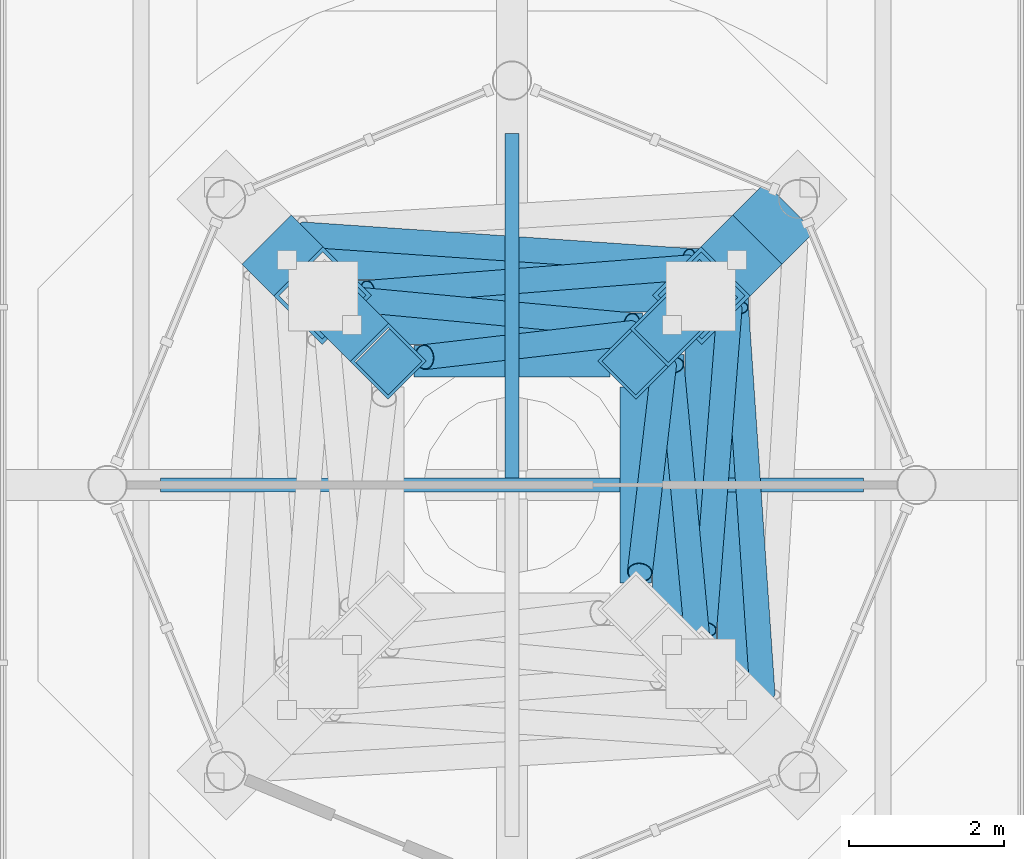
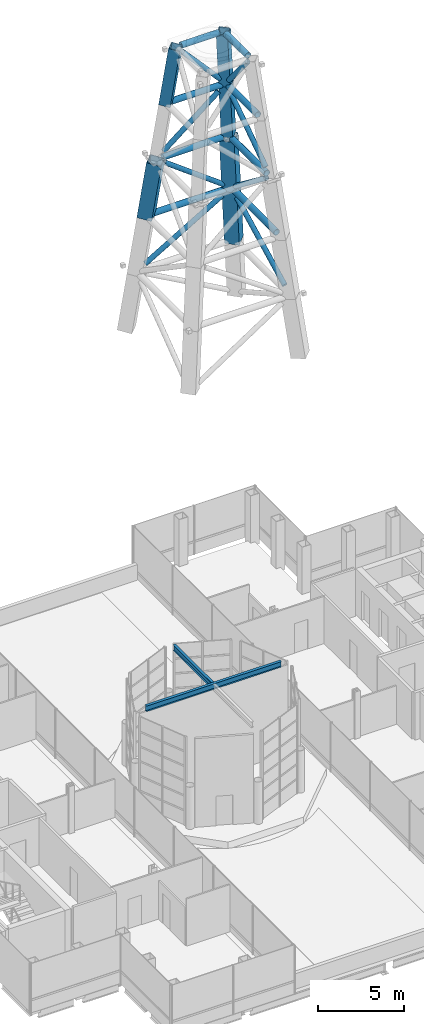
# One storey, part 13 of 32: 22 members, 2 beams.
"""IFC4 building model written with IfcOpenShell, lengths in metres."""

from ifc_helpers import new_model, si_unit, direction, frame, origin, origin_2d, place, context, subcontext, project, spatial, hollow_rectangle, hollow_circle, i_section, extrude, material, material_profile, profile_set, type_object, element, save


model = new_model("IFC4")

# Units and contexts
model_context = context("Model", 3, precision=1e-05, world=origin(), true_north=direction((0.0, 1.0)))
body_context = subcontext(model_context, "Body", "Model", "MODEL_VIEW")
ifc_project = project(units=[si_unit("LENGTHUNIT", "METRE"), si_unit("AREAUNIT", "SQUARE_METRE"), si_unit("VOLUMEUNIT", "CUBIC_METRE"), si_unit("PLANEANGLEUNIT", "RADIAN"), si_unit("MASSUNIT", "GRAM", prefix="KILO")], contexts=[model_context])

# Site, building, storey
site_placement = place(None, origin())
site = spatial("IfcSite", under=ifc_project, at=site_placement, CompositionType="ELEMENT")
building_placement = place(site_placement, origin())
building = spatial("IfcBuilding", under=site, at=building_placement, Name="Cobrizo Arcos Hotel Tower", CompositionType="ELEMENT")
storey_placement = place(building_placement, frame((0.0, 0.0, 265.5)))
storey = spatial("IfcBuildingStorey", under=building, at=storey_placement, Name="L70", CompositionType="ELEMENT", Elevation=265.5)

# Members
ifc_material_1 = material(Name="Steel ASTM A500 Grade C", Category="steel")
ifc_material_profile_1 = material_profile(ifc_material_1, hollow_circle(Radius=0.161865234375, WallThickness=0.01171875, at=origin_2d()), Name="HSS12.750X0.500")
ifc_profile_set_1 = profile_set([ifc_material_profile_1], Name="Steel ASTM A500 Grade C")
member_type_1 = type_object("IfcMemberType", Name="MAST diagonal HSS12.750X0.500", PredefinedType="BRACE", material=ifc_profile_set_1)
for number, where, z_axis, x_axis, name in (
    (1, (3.240966796875, -2.70947265625, 35.98095703125), (-0.056811542456, 0.830275754307, 0.554449835831), (-0.997667204321, -0.068265287094, 0.0), "MAST diagonal stage 2 face 2"),
    (2, (-2.70947265625, 3.240966796875, 35.98095703125), (0.830275754307, -0.056811542456, 0.554449835831), (0.068265287094, 0.997667204321, 0.0), "MAST diagonal stage 2 face 3"),
):
    element("IfcMember", number, at=place(storey_placement, frame(where, z_axis=z_axis, x_axis=x_axis)), inside=storey, type_object=member_type_1, Name=name, PredefinedType="BRACE", context=body_context, shape_type="SweptSolid", body=[
        extrude(hollow_circle(Radius=0.161865234375, WallThickness=0.01171875, at=origin_2d()), origin(), (0.0, 0.0, 1.0), 6.0205078125),
    ])
for number, where, z_axis, x_axis, name in (
    (3, (2.814697265625, 2.289794921875, 40.14111328125), (-0.062549063736, -0.789415516993, 0.610664192626), (0.996875638652, -0.078987094271, 0.0), "MAST diagonal stage 3 face 2"),
    (4, (2.289794921875, 2.814697265625, 40.14111328125), (-0.789415516993, -0.062549063736, 0.610664192626), (0.078987094271, -0.996875638652, 0.0), "MAST diagonal stage 3 face 3"),
):
    element("IfcMember", number, at=place(storey_placement, frame(where, z_axis=z_axis, x_axis=x_axis)), inside=storey, type_object=member_type_1, Name=name, PredefinedType="BRACE", context=body_context, shape_type="SweptSolid", body=[
        extrude(hollow_circle(Radius=0.161865234375, WallThickness=0.01171875, at=origin_2d()), origin(), (0.0, 0.0, 1.0), 5.269287109375),
    ])
for number, where, z_axis, x_axis, name in (
    (5, (2.395751953125, -1.97021484375, 44.23193359375), (-0.069167380684, 0.73445775366, 0.675120494089), (-0.995594837643, -0.093759902186, 0.0), "MAST diagonal stage 4 face 2"),
    (6, (-1.97021484375, 2.395751953125, 44.23193359375), (0.73445775366, -0.069167380684, 0.675120494089), (0.093759902186, 0.995594837643, 0.0), "MAST diagonal stage 4 face 3"),
):
    element("IfcMember", number, at=place(storey_placement, frame(where, z_axis=z_axis, x_axis=x_axis)), inside=storey, type_object=member_type_1, Name=name, PredefinedType="BRACE", context=body_context, shape_type="SweptSolid", body=[
        extrude(hollow_circle(Radius=0.161865234375, WallThickness=0.01171875, at=origin_2d()), origin(), (0.0, 0.0, 1.0), 4.79345703125),
    ])
for number, where, z_axis, x_axis, name in (
    (7, (1.965576171875, 1.55126953125, 48.430908203125), (-0.076580660932, -0.659915075813, 0.747427250698), (0.993333888487, -0.115272659308, 0.0), "MAST diagonal stage 5 face 2"),
    (8, (1.55126953125, 1.965576171875, 48.430908203125), (-0.659915075813, -0.076580660932, 0.747427250698), (0.115272659308, -0.993333888487, 0.0), "MAST diagonal stage 5 face 3"),
):
    element("IfcMember", number, at=place(storey_placement, frame(where, z_axis=z_axis, x_axis=x_axis)), inside=storey, type_object=member_type_1, Name=name, PredefinedType="BRACE", context=body_context, shape_type="SweptSolid", body=[
        extrude(hollow_circle(Radius=0.161865234375, WallThickness=0.01171875, at=origin_2d()), origin(), (0.0, 0.0, 1.0), 4.064697265625),
    ])
ifc_material_2 = material(Name="Steel ASTM A572 Grade 50", Category="steel")
ifc_material_profile_2 = material_profile(ifc_material_2, hollow_rectangle(XDim=0.699951171875, YDim=0.699951171875, WallThickness=0.0400390625, at=origin_2d()), Name="BOX 700X700X40")
ifc_profile_set_2 = profile_set([ifc_material_profile_2], Name="Steel ASTM A572 Grade 50")
member_type_2 = type_object("IfcMemberType", Name="MAST leg BOX 700X700X40", PredefinedType="CHORD", material=ifc_profile_set_2)
member_1_placement = place(storey_placement, frame((2.4296875, 2.4296875, 43.89990234375), z_axis=(-0.101359328095, -0.101359328095, 0.989672962759), x_axis=(0.707106781187, -0.707106781187, 0.0)))
element("IfcMember", 9, at=member_1_placement, inside=storey, type_object=member_type_2, Name="MAST leg NE stage 4", PredefinedType="CHORD", context=body_context, shape_type="SweptSolid", body=[
    extrude(hollow_rectangle(XDim=0.699951171875, YDim=0.699951171875, WallThickness=0.0400390625, at=origin_2d()), origin(), (0.0, 0.0, 1.0), 4.041748046875),
])
for number, where, z_axis, x_axis, name in (
    (10, (2.02001953125, 2.02001953125, 47.89990234375), (-0.101359849485, -0.101359849485, 0.98967285596), (0.707106781187, -0.707106781187, 0.0), "MAST leg NE stage 5"),
    (11, (-2.02001953125, 2.02001953125, 47.89990234375), (0.101359849485, -0.101359849485, 0.98967285596), (0.707106781187, 0.707106781187, 0.0), "MAST leg NW stage 5"),
):
    element("IfcMember", number, at=place(storey_placement, frame(where, z_axis=z_axis, x_axis=x_axis)), inside=storey, type_object=member_type_2, Name=name, PredefinedType="CHORD", context=body_context, shape_type="SweptSolid", body=[
        extrude(hollow_rectangle(XDim=0.699951171875, YDim=0.699951171875, WallThickness=0.0400390625, at=origin_2d()), origin(), (0.0, 0.0, 1.0), 4.142822265625),
    ])
ifc_material_profile_3 = material_profile(ifc_material_2, hollow_rectangle(XDim=0.89990234375, YDim=0.89990234375, WallThickness=0.050048828125, at=origin_2d()), Name="BOX 900X900X50")
ifc_profile_set_3 = profile_set([ifc_material_profile_3], Name="Steel ASTM A572 Grade 50")
member_type_3 = type_object("IfcMemberType", Name="MAST leg BOX 900X900X50", PredefinedType="CHORD", material=ifc_profile_set_3)
member_2_placement = place(storey_placement, frame((3.280029296875, 3.280029296875, 35.60009765625), z_axis=(-0.101365761291, -0.101365761291, 0.989671644979), x_axis=(0.707106781187, -0.707106781187, 0.0)))
element("IfcMember", 12, at=member_2_placement, inside=storey, type_object=member_type_3, Name="MAST leg NE stage 2", PredefinedType="CHORD", context=body_context, shape_type="SweptSolid", body=[
    extrude(hollow_rectangle(XDim=0.89990234375, YDim=0.89990234375, WallThickness=0.050048828125, at=origin_2d()), origin(), (0.0, 0.0, 1.0), 4.142578125),
])
for number, where, z_axis, x_axis, name in (
    (13, (2.860107421875, 2.860107421875, 39.699951171875), (-0.101418490688, -0.101418490688, 0.989660840638), (0.707106781187, -0.707106781187, 0.0), "MAST leg NE stage 3"),
    (14, (-2.860107421875, 2.860107421875, 39.699951171875), (0.101418490688, -0.101418490688, 0.989660840638), (0.707106781187, 0.707106781187, 0.0), "MAST leg NW stage 3"),
):
    element("IfcMember", number, at=place(storey_placement, frame(where, z_axis=z_axis, x_axis=x_axis)), inside=storey, type_object=member_type_3, Name=name, PredefinedType="CHORD", context=body_context, shape_type="SweptSolid", body=[
        extrude(hollow_rectangle(XDim=0.89990234375, YDim=0.89990234375, WallThickness=0.050048828125, at=origin_2d()), origin(), (0.0, 0.0, 1.0), 4.041748046875),
    ])
ifc_material_profile_4 = material_profile(ifc_material_1, hollow_circle(Radius=0.203125, WallThickness=0.01171875, at=origin_2d()), Name="HSS16.000X0.500")
ifc_profile_set_4 = profile_set([ifc_material_profile_4], Name="Steel ASTM A500 Grade C")
member_type_4 = type_object("IfcMemberType", Name="MAST strut HSS16.000X0.500", PredefinedType="STRUT", material=ifc_profile_set_4)
for number, where, z_axis, x_axis, name in (
    (15, (2.860107421875, -2.429931640625, 39.699951171875), (0.0, 1.0, 0.0), (-1.0, 0.0, 0.0), "MAST strut level 2 face 2"),
    (16, (2.429931640625, 2.860107421875, 39.699951171875), (-1.0, 0.0, 0.0), (0.0, -1.0, 0.0), "MAST strut level 2 face 3"),
):
    element("IfcMember", number, at=place(storey_placement, frame(where, z_axis=z_axis, x_axis=x_axis)), inside=storey, type_object=member_type_4, Name=name, PredefinedType="STRUT", context=body_context, shape_type="SweptSolid", body=[
        extrude(hollow_circle(Radius=0.203125, WallThickness=0.01171875, at=origin_2d()), origin(), (0.0, 0.0, 1.0), 4.85986328125),
    ])
for number, where, z_axis, x_axis, name in (
    (17, (2.43994140625, -2.010009765625, 43.800048828125), (0.0, 1.0, 0.0), (-1.0, 0.0, 0.0), "MAST strut level 3 face 2"),
    (18, (2.010009765625, 2.43994140625, 43.800048828125), (-1.0, 0.0, 0.0), (0.0, -1.0, 0.0), "MAST strut level 3 face 3"),
):
    element("IfcMember", number, at=place(storey_placement, frame(where, z_axis=z_axis, x_axis=x_axis)), inside=storey, type_object=member_type_4, Name=name, PredefinedType="STRUT", context=body_context, shape_type="SweptSolid", body=[
        extrude(hollow_circle(Radius=0.203125, WallThickness=0.01171875, at=origin_2d()), origin(), (0.0, 0.0, 1.0), 4.02001953125),
    ])
for number, where, z_axis, x_axis, name in (
    (19, (2.02001953125, -1.68994140625, 47.89990234375), (0.0, 1.0, 0.0), (-1.0, 0.0, 0.0), "MAST strut level 4 face 2"),
    (20, (1.68994140625, 2.02001953125, 47.89990234375), (-1.0, 0.0, 0.0), (0.0, -1.0, 0.0), "MAST strut level 4 face 3"),
):
    element("IfcMember", number, at=place(storey_placement, frame(where, z_axis=z_axis, x_axis=x_axis)), inside=storey, type_object=member_type_4, Name=name, PredefinedType="STRUT", context=body_context, shape_type="SweptSolid", body=[
        extrude(hollow_circle(Radius=0.203125, WallThickness=0.01171875, at=origin_2d()), origin(), (0.0, 0.0, 1.0), 3.3798828125),
    ])
for number, where, z_axis, x_axis, name in (
    (21, (1.60009765625, -1.27001953125, 52.0), (0.0, 1.0, 0.0), (-1.0, 0.0, 0.0), "MAST strut level 5 face 2"),
    (22, (1.27001953125, 1.60009765625, 52.0), (-1.0, 0.0, 0.0), (0.0, -1.0, 0.0), "MAST strut level 5 face 3"),
):
    element("IfcMember", number, at=place(storey_placement, frame(where, z_axis=z_axis, x_axis=x_axis)), inside=storey, type_object=member_type_4, Name=name, PredefinedType="STRUT", context=body_context, shape_type="SweptSolid", body=[
        extrude(hollow_circle(Radius=0.203125, WallThickness=0.01171875, at=origin_2d()), origin(), (0.0, 0.0, 1.0), 2.5400390625),
    ])

# Beams
ifc_material_3 = material(Name="Steel ASTM A992 Grade 50", Category="steel")
ifc_material_profile_5 = material_profile(ifc_material_3, i_section(OverallWidth=0.177734375, OverallDepth=0.406494140625, WebThickness=0.0078125, FlangeThickness=0.0126953125, at=origin_2d()), Name="W16X40")
ifc_profile_set_5 = profile_set([ifc_material_profile_5], Name="Steel ASTM A992 Grade 50")
beam_type = type_object("IfcBeamType", Name="W16X40 drum roof beam", PredefinedType="BEAM", material=ifc_profile_set_5)
beam_1_placement = place(storey_placement, frame((-4.54638671875, 0.0, 6.996826171875), z_axis=(1.0, 0.0, 0.0), x_axis=(0.0, 1.0, 0.0)))
element("IfcBeam", 23, at=beam_1_placement, inside=storey, type_object=beam_type, Name="Drum roof beam DB-1, east-west", PredefinedType="BEAM", context=body_context, shape_type="SweptSolid", body=[
    extrude(i_section(OverallWidth=0.177734375, OverallDepth=0.406494140625, WebThickness=0.0078125, FlangeThickness=0.0126953125, at=origin_2d()), origin(), (0.0, 0.0, 1.0), 9.0927734375),
])
beam_2_placement = place(storey_placement, frame((0.0, 0.0888671875, 6.996826171875), z_axis=(0.0, 1.0, 0.0), x_axis=(-1.0, 0.0, 0.0)))
element("IfcBeam", 24, at=beam_2_placement, inside=storey, type_object=beam_type, Name="Drum roof beam DB-3, north-south, no. 1", PredefinedType="BEAM", context=body_context, shape_type="SweptSolid", body=[
    extrude(i_section(OverallWidth=0.177734375, OverallDepth=0.406494140625, WebThickness=0.0078125, FlangeThickness=0.0126953125, at=origin_2d()), origin(), (0.0, 0.0, 1.0), 4.45751953125),
])

save(model, "model.ifc")
